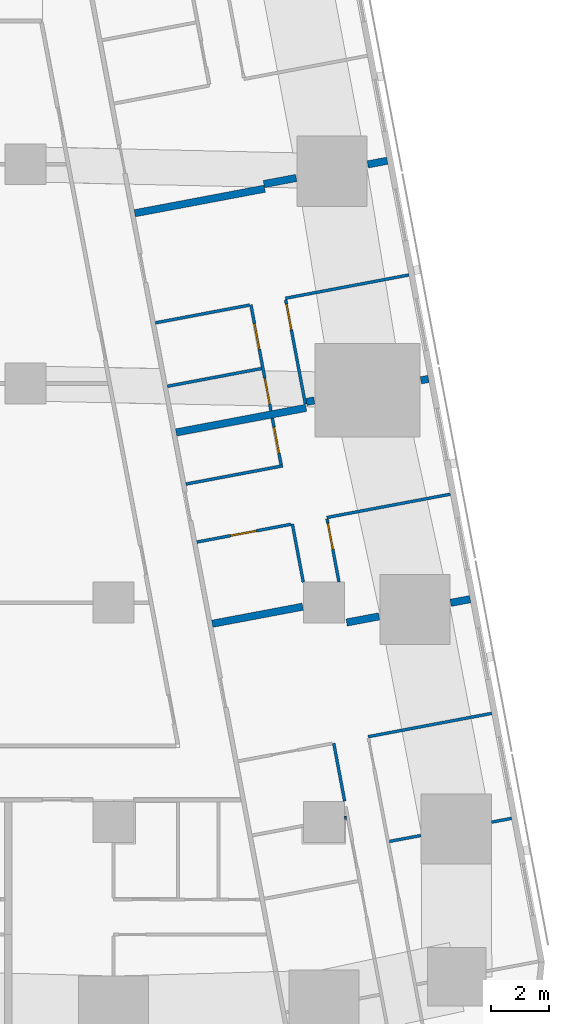
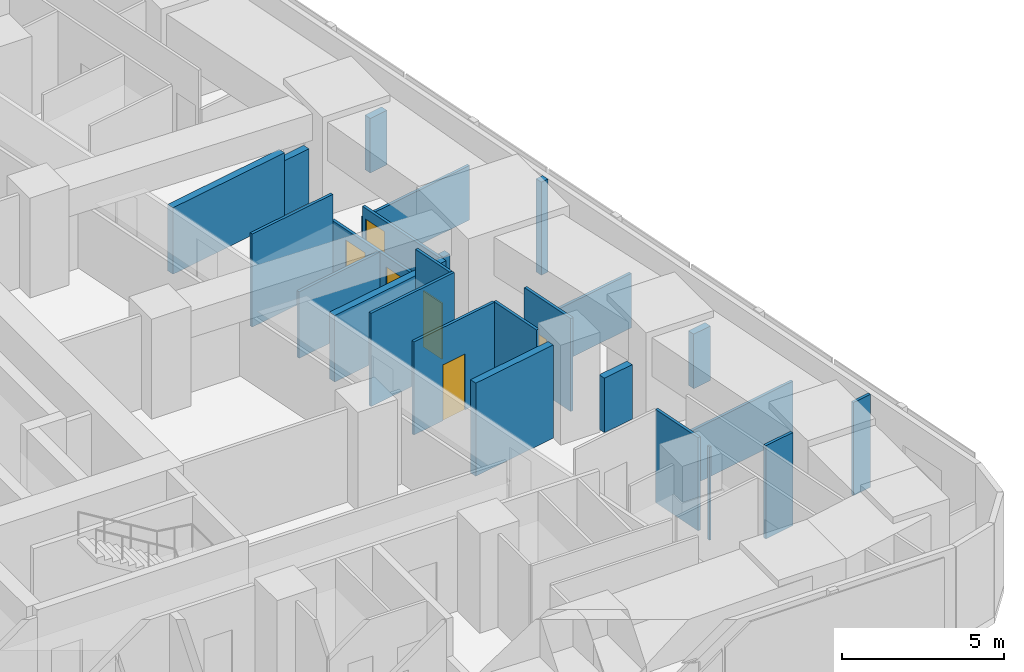
# One storey, part 14 of 19: 25 walls, 6 doors, 6 openings.
"""IFC4 building model written with IfcOpenShell, lengths in metres."""

from ifc_helpers import new_model, si_unit, direction, frame, frame_2d, origin, place, context, subcontext, project, spatial, rectangle, extrude, material, layer, layer_set, type_object, element, fill, save


model = new_model("IFC4")

# Units and contexts
model_context = context("Model", 3, precision=1e-05, world=origin(), true_north=direction((0.0, 1.0)))
body_context = subcontext(model_context, "Body", "Model", "MODEL_VIEW")
ifc_project = project(units=[si_unit("LENGTHUNIT", "METRE"), si_unit("AREAUNIT", "SQUARE_METRE"), si_unit("VOLUMEUNIT", "CUBIC_METRE"), si_unit("PLANEANGLEUNIT", "RADIAN"), si_unit("MASSUNIT", "GRAM", prefix="KILO")], contexts=[model_context])

# Site, building, storey
site_placement = place(None, origin())
site = spatial("IfcSite", under=ifc_project, at=site_placement, CompositionType="ELEMENT")
building_placement = place(site_placement, origin())
building = spatial("IfcBuilding", under=site, at=building_placement, Name="Sheger Commons Tower", CompositionType="ELEMENT")
storey_placement = place(building_placement, frame((0.0, 0.0, 216.199951171875)))
storey = spatial("IfcBuildingStorey", under=building, at=storey_placement, Name="L55", CompositionType="ELEMENT", Elevation=216.199951171875)

# Walls
ifc_material_1 = material(Name="Dense concrete block masonry, plastered both sides (separating wall between flats)", Category="masonry")
ifc_layer_1 = layer(ifc_material_1, 0.25)
ifc_layer_set_1 = layer_set([ifc_layer_1], Name="DEMISING WALL 250")
wall_type_1 = type_object("IfcWallType", Name="DEMISING WALL 250", PredefinedType="SOLIDWALL", material=ifc_layer_set_1)
wall_1_placement = place(storey_placement, frame((45.3720703125, 30.12109375, 0.0), z_axis=(0.0, 0.0, 1.0), x_axis=(-0.982347993061, -0.187062611252, 0.0)))
element("IfcWall", 1, at=wall_1_placement, inside=storey, type_object=wall_type_1, Name="Demising wall L55", PredefinedType="SOLIDWALL", context=body_context, shape_type="SweptSolid", body=[
    extrude(rectangle(XDim=0.679931640625, YDim=0.25, at=frame_2d((0.33984375, 0.0))), origin(), (0.0, 0.0, 1.0), 2.050048828125),
])
wall_2_placement = place(storey_placement, frame((42.256103515625, 29.531982421875, 0.0), z_axis=(0.0, 0.0, 1.0), x_axis=(-0.982549954272, -0.185998890749, 0.0)))
element("IfcWall", 2, at=wall_2_placement, inside=storey, type_object=wall_type_1, Name="Demising wall L55", PredefinedType="SOLIDWALL", context=body_context, shape_type="SweptSolid", body=[
    extrude(rectangle(XDim=1.12890625, YDim=0.25, at=frame_2d((0.564453125, 0.0))), origin(), (0.0, 0.0, 1.0), 2.050048828125),
])
wall_3_placement = place(storey_placement, frame((41.177001953125, 29.1640625, 0.0), z_axis=(0.0, 0.0, 1.0), x_axis=(-0.982612837616, -0.185666398014, 0.0)))
element("IfcWall", 3, at=wall_3_placement, inside=storey, type_object=wall_type_1, Name="Demising wall L55", PredefinedType="SOLIDWALL", context=body_context, shape_type="SweptSolid", body=[
    extrude(rectangle(XDim=4.524658203125, YDim=0.25, at=frame_2d((2.26220703125, 0.0))), origin(), (0.0, 0.0, 1.0), 2.5),
])
wall_4_placement = place(storey_placement, frame((46.781982421875, 22.656982421875, 0.0), z_axis=(0.0, 0.0, 1.0), x_axis=(-0.982778390997, -0.18478807913, 0.0)))
element("IfcWall", 4, at=wall_4_placement, inside=storey, type_object=wall_type_1, Name="Demising wall L55", PredefinedType="SOLIDWALL", context=body_context, shape_type="SweptSolid", body=[
    extrude(rectangle(XDim=0.265625, YDim=0.25, at=frame_2d((0.1328125, 0.0))), origin(), (0.0, 0.0, 1.0), 3.5),
])
wall_5_placement = place(storey_placement, frame((42.873046875, 21.91796875, 0.0), z_axis=(0.0, 0.0, 1.0), x_axis=(-0.982892522967, -0.184180043152, 0.0)))
element("IfcWall", 5, at=wall_5_placement, inside=storey, type_object=wall_type_1, Name="Demising wall L55", PredefinedType="SOLIDWALL", context=body_context, shape_type="SweptSolid", body=[
    extrude(rectangle(XDim=0.271728515625, YDim=0.25, at=frame_2d((0.1357421875, 0.0))), origin(), (0.0, 0.0, 1.0), 2.5),
])
wall_6_placement = place(storey_placement, frame((42.593017578125, 21.6650390625, 0.0), z_axis=(0.0, 0.0, 1.0), x_axis=(-0.982612837616, -0.185666398014, 0.0)))
element("IfcWall", 6, at=wall_6_placement, inside=storey, type_object=wall_type_1, Name="Demising wall L55", PredefinedType="SOLIDWALL", context=body_context, shape_type="SweptSolid", body=[
    extrude(rectangle(XDim=4.524658203125, YDim=0.25, at=frame_2d((2.26220703125, 0.0))), origin(), (0.0, 0.0, 1.0), 2.5),
])
wall_7_placement = place(storey_placement, frame((48.2060546875, 15.1201171875, 0.0), z_axis=(0.0, 0.0, 1.0), x_axis=(-0.982610999048, -0.18567612811, 0.0)))
element("IfcWall", 7, at=wall_7_placement, inside=storey, type_object=wall_type_1, Name="Demising wall L55", PredefinedType="SOLIDWALL", context=body_context, shape_type="SweptSolid", body=[
    extrude(rectangle(XDim=0.6796875, YDim=0.25, at=frame_2d((0.33984375, 0.0))), origin(), (0.0, 0.0, 1.0), 2.050048828125),
])
wall_8_placement = place(storey_placement, frame((45.090087890625, 14.531005859375, 0.0), z_axis=(0.0, 0.0, 1.0), x_axis=(-0.982737354171, -0.185006196431, 0.0)))
element("IfcWall", 8, at=wall_8_placement, inside=storey, type_object=wall_type_1, Name="Demising wall L55", PredefinedType="SOLIDWALL", context=body_context, shape_type="SweptSolid", body=[
    extrude(rectangle(XDim=1.129638671875, YDim=0.25, at=frame_2d((0.56494140625, 0.0))), origin(), (0.0, 0.0, 1.0), 2.050048828125),
])
wall_9_placement = place(storey_placement, frame((42.47607421875, 14.863037109375, 0.0), z_axis=(0.0, 0.0, 1.0), x_axis=(-0.982638716117, -0.185529387398, 0.0)))
element("IfcWall", 9, at=wall_9_placement, inside=storey, type_object=wall_type_1, Name="Demising wall L55", PredefinedType="SOLIDWALL", context=body_context, shape_type="SweptSolid", body=[
    extrude(rectangle(XDim=3.147705078125, YDim=0.25, at=frame_2d((1.57373046875, 0.0))), origin(), (0.0, 0.0, 1.0), 3.5),
])

# Wall, opening, door
ifc_material_2 = material(Name="Gypsum board on steel studs", Category="steel")
ifc_layer_2 = layer(ifc_material_2, 0.10009765625)
ifc_layer_set_2 = layer_set([ifc_layer_2], Name="PARTITION 100")
wall_type_2 = type_object("IfcWallType", Name="PARTITION 100", PredefinedType="PARTITIONING", material=ifc_layer_set_2)
wall_10_placement = place(storey_placement, frame((41.89404296875, 25.365966796875, 0.0), z_axis=(0.0, 0.0, 1.0), x_axis=(0.185695396387, -0.98260735788, 0.0)))
wall_10 = element("IfcWall", 10, at=wall_10_placement, inside=storey, type_object=wall_type_2, Name="Partition L55", PredefinedType="PARTITIONING", context=body_context, shape_type="SweptSolid", body=[
    extrude(rectangle(XDim=3.63525390625, YDim=0.10009765625, at=frame_2d((1.817626953125, 0.0))), origin(), (0.0, 0.0, 1.0), 2.5),
])
opening_1_placement = place(wall_10_placement, frame((0.15087890625, 0.0, 0.0)))
opening_1 = element("IfcOpeningElement", 11, at=opening_1_placement, cuts=wall_10, Name="Opening D2", PredefinedType="OPENING", context=body_context, shape_type="SweptSolid", body=[
    extrude(rectangle(XDim=0.89990234375, YDim=2.10009765625, at=frame_2d((0.449951171875, 1.050048828125))), frame((0.0, 0.06005859375, 0.0), z_axis=(0.0, -1.0, 0.0), x_axis=(1.0, 0.0, 0.0)), (0.0, 0.0, 1.0), 0.1201171875),
])
ifc_material_3 = material(Name="Timber door set", Category="wood")
door_type = type_object("IfcDoorType", Name="INTERNAL DOOR 900x2100", OperationType="NOTDEFINED", PredefinedType="DOOR", material=ifc_material_3)
door_1_placement = place(opening_1_placement, origin())
door_1 = element("IfcDoor", 12, at=door_1_placement, inside=storey, type_object=door_type, Name="Main bedroom door", OperationType="SINGLE_SWING_LEFT", OverallHeight=2.10009765625, OverallWidth=0.89990234375, PredefinedType="DOOR", context=body_context, shape_type="SweptSolid", body=[
    extrude(rectangle(XDim=0.89990234375, YDim=2.10009765625, at=frame_2d((0.449951171875, 1.050048828125))), frame((0.0, 0.02490234375, 0.0), z_axis=(0.0, -1.0, 0.0), x_axis=(1.0, 0.0, 0.0)), (0.0, 0.0, 1.0), 0.050048828125),
])
fill(opening_1, door_1)

# Wall, openings, doors
wall_11_placement = place(storey_placement, frame((40.7060546875, 25.19189453125, 0.0), z_axis=(0.0, 0.0, 1.0), x_axis=(0.185580474845, -0.982629069057, 0.0)))
wall_11 = element("IfcWall", 13, at=wall_11_placement, inside=storey, type_object=wall_type_2, Name="Partition L55", PredefinedType="PARTITIONING", context=body_context, shape_type="SweptSolid", body=[
    extrude(rectangle(XDim=3.684814453125, YDim=0.10009765625, at=frame_2d((1.84228515625, 0.0))), origin(), (0.0, 0.0, 1.0), 2.5),
])
opening_2_placement = place(wall_11_placement, frame((0.655029296875, 0.0, 0.0)))
opening_2 = element("IfcOpeningElement", 14, at=opening_2_placement, cuts=wall_11, Name="Opening D2", PredefinedType="OPENING", context=body_context, shape_type="SweptSolid", body=[
    extrude(rectangle(XDim=0.89990234375, YDim=2.10009765625, at=frame_2d((0.449951171875, 1.050048828125))), frame((0.0, 0.06005859375, 0.0), z_axis=(0.0, -1.0, 0.0), x_axis=(1.0, 0.0, 0.0)), (0.0, 0.0, 1.0), 0.1201171875),
])
opening_3_placement = place(wall_11_placement, frame((2.56298828125, 0.0, 0.0)))
opening_3 = element("IfcOpeningElement", 15, at=opening_3_placement, cuts=wall_11, Name="Opening D2", PredefinedType="OPENING", context=body_context, shape_type="SweptSolid", body=[
    extrude(rectangle(XDim=0.89990234375, YDim=2.10009765625, at=frame_2d((0.449951171875, 1.050048828125))), frame((0.0, 0.06005859375, 0.0), z_axis=(0.0, -1.0, 0.0), x_axis=(1.0, 0.0, 0.0)), (0.0, 0.0, 1.0), 0.1201171875),
])
door_2_placement = place(opening_2_placement, origin())
door_2 = element("IfcDoor", 16, at=door_2_placement, inside=storey, type_object=door_type, Name="Bathroom door", OperationType="SINGLE_SWING_RIGHT", OverallHeight=2.10009765625, OverallWidth=0.89990234375, PredefinedType="DOOR", context=body_context, shape_type="SweptSolid", body=[
    extrude(rectangle(XDim=0.89990234375, YDim=2.10009765625, at=frame_2d((0.449951171875, 1.050048828125))), frame((0.0, 0.02490234375, 0.0), z_axis=(0.0, -1.0, 0.0), x_axis=(1.0, 0.0, 0.0)), (0.0, 0.0, 1.0), 0.050048828125),
])
fill(opening_2, door_2)
door_3_placement = place(opening_3_placement, origin())
door_3 = element("IfcDoor", 17, at=door_3_placement, inside=storey, type_object=door_type, Name="Store door", OperationType="SINGLE_SWING_LEFT", OverallHeight=2.10009765625, OverallWidth=0.89990234375, PredefinedType="DOOR", context=body_context, shape_type="SweptSolid", body=[
    extrude(rectangle(XDim=0.89990234375, YDim=2.10009765625, at=frame_2d((0.449951171875, 1.050048828125))), frame((0.0, 0.02490234375, 0.0), z_axis=(0.0, -1.0, 0.0), x_axis=(1.0, 0.0, 0.0)), (0.0, 0.0, 1.0), 0.050048828125),
])
fill(opening_3, door_3)

# Walls
wall_12_placement = place(storey_placement, frame((46.110107421875, 26.212890625, 0.0), z_axis=(0.0, 0.0, 1.0), x_axis=(-0.982633535512, -0.185556823879, 0.0)))
element("IfcWall", 18, at=wall_12_placement, inside=storey, type_object=wall_type_2, Name="Partition L55", PredefinedType="PARTITIONING", context=body_context, shape_type="SweptSolid", body=[
    extrude(rectangle(XDim=4.2998046875, YDim=0.10009765625, at=frame_2d((2.14990234375, 0.0))), origin(), (0.0, 0.0, 1.0), 2.050048828125),
])
wall_13_placement = place(storey_placement, frame((40.656982421875, 25.18310546875, 0.0), z_axis=(0.0, 0.0, 1.0), x_axis=(-0.982607026909, -0.185697147715, 0.0)))
element("IfcWall", 19, at=wall_13_placement, inside=storey, type_object=wall_type_2, Name="Partition L55", PredefinedType="PARTITIONING", context=body_context, shape_type="SweptSolid", body=[
    extrude(rectangle(XDim=3.27490234375, YDim=0.10009765625, at=frame_2d((1.637451171875, 0.0))), origin(), (0.0, 0.0, 1.0), 3.5),
])
wall_14_placement = place(storey_placement, frame((41.06689453125, 23.010986328125, 0.0), z_axis=(0.0, 0.0, 1.0), x_axis=(-0.982618057925, -0.185638768151, 0.0)))
element("IfcWall", 20, at=wall_14_placement, inside=storey, type_object=wall_type_2, Name="Partition L55", PredefinedType="PARTITIONING", context=body_context, shape_type="SweptSolid", body=[
    extrude(rectangle(XDim=3.274658203125, YDim=0.10009765625, at=frame_2d((1.63720703125, 0.0))), origin(), (0.0, 0.0, 1.0), 2.5),
])

# Wall, opening, door
wall_15_placement = place(storey_placement, frame((41.43701171875, 21.319091796875, 0.0), z_axis=(0.0, 0.0, 1.0), x_axis=(0.185793689589, -0.982588777113, 0.0)))
wall_15 = element("IfcWall", 21, at=wall_15_placement, inside=storey, type_object=wall_type_2, Name="Partition L55", PredefinedType="PARTITIONING", context=body_context, shape_type="SweptSolid", body=[
    extrude(rectangle(XDim=1.62548828125, YDim=0.10009765625, at=frame_2d((0.812744140625, 0.0))), origin(), (0.0, 0.0, 1.0), 3.5),
])
opening_4_placement = place(wall_15_placement, frame((0.324951171875, 0.0, 0.0)))
opening_4 = element("IfcOpeningElement", 22, at=opening_4_placement, cuts=wall_15, Name="Opening D2", PredefinedType="OPENING", context=body_context, shape_type="SweptSolid", body=[
    extrude(rectangle(XDim=0.89990234375, YDim=2.10009765625, at=frame_2d((0.449951171875, 1.050048828125))), frame((0.0, 0.06005859375, 0.0), z_axis=(0.0, -1.0, 0.0), x_axis=(1.0, 0.0, 0.0)), (0.0, 0.0, 1.0), 0.1201171875),
])
door_4_placement = place(opening_4_placement, origin())
door_4 = element("IfcDoor", 23, at=door_4_placement, inside=storey, type_object=door_type, Name="Shower room door", OperationType="SINGLE_SWING_RIGHT", OverallHeight=2.10009765625, OverallWidth=0.89990234375, PredefinedType="DOOR", context=body_context, shape_type="SweptSolid", body=[
    extrude(rectangle(XDim=0.89990234375, YDim=2.10009765625, at=frame_2d((0.449951171875, 1.050048828125))), frame((0.0, 0.02490234375, 0.0), z_axis=(0.0, -1.0, 0.0), x_axis=(1.0, 0.0, 0.0)), (0.0, 0.0, 1.0), 0.050048828125),
])
fill(opening_4, door_4)

# Wall
wall_16_placement = place(storey_placement, frame((41.798095703125, 19.681884765625, 0.0), z_axis=(0.0, 0.0, 1.0), x_axis=(-0.982656183703, -0.185436848091, 0.0)))
element("IfcWall", 24, at=wall_16_placement, inside=storey, type_object=wall_type_2, Name="Partition L55", PredefinedType="PARTITIONING", context=body_context, shape_type="SweptSolid", body=[
    extrude(rectangle(XDim=3.375732421875, YDim=0.10009765625, at=frame_2d((1.68798828125, 0.0))), origin(), (0.0, 0.0, 1.0), 3.5),
])

# Wall, opening, door
wall_17_placement = place(storey_placement, frame((43.31103515625, 17.864990234375, 0.0), z_axis=(0.0, 0.0, 1.0), x_axis=(0.185572140257, -0.982630643101, 0.0)))
wall_17 = element("IfcWall", 25, at=wall_17_placement, inside=storey, type_object=wall_type_2, Name="Partition L55", PredefinedType="PARTITIONING", context=body_context, shape_type="SweptSolid", body=[
    extrude(rectangle(XDim=2.193115234375, YDim=0.10009765625, at=frame_2d((1.0966796875, 0.0))), origin(), (0.0, 0.0, 1.0), 3.5),
])
opening_5_placement = place(wall_17_placement, frame((0.14990234375, 0.0, 0.0)))
opening_5 = element("IfcOpeningElement", 26, at=opening_5_placement, cuts=wall_17, Name="Opening D2", PredefinedType="OPENING", context=body_context, shape_type="SweptSolid", body=[
    extrude(rectangle(XDim=0.89990234375, YDim=2.10009765625, at=frame_2d((0.449951171875, 1.050048828125))), frame((0.0, 0.06005859375, 0.0), z_axis=(0.0, -1.0, 0.0), x_axis=(1.0, 0.0, 0.0)), (0.0, 0.0, 1.0), 0.1201171875),
])
door_5_placement = place(opening_5_placement, origin())
door_5 = element("IfcDoor", 27, at=door_5_placement, inside=storey, type_object=door_type, Name="Main bedroom door", OperationType="SINGLE_SWING_LEFT", OverallHeight=2.10009765625, OverallWidth=0.89990234375, PredefinedType="DOOR", context=body_context, shape_type="SweptSolid", body=[
    extrude(rectangle(XDim=0.89990234375, YDim=2.10009765625, at=frame_2d((0.449951171875, 1.050048828125))), frame((0.0, 0.02490234375, 0.0), z_axis=(0.0, -1.0, 0.0), x_axis=(1.0, 0.0, 0.0)), (0.0, 0.0, 1.0), 0.050048828125),
])
fill(opening_5, door_5)

# Walls
wall_18_placement = place(storey_placement, frame((42.123046875, 17.69091796875, 0.0), z_axis=(0.0, 0.0, 1.0), x_axis=(0.185183804812, -0.98270390171, 0.0)))
element("IfcWall", 28, at=wall_18_placement, inside=storey, type_object=wall_type_2, Name="Partition L55", PredefinedType="PARTITIONING", context=body_context, shape_type="SweptSolid", body=[
    extrude(rectangle(XDim=2.02490234375, YDim=0.10009765625, at=frame_2d((1.012451171875, 0.0))), origin(), (0.0, 0.0, 1.0), 3.5),
])
wall_19_placement = place(storey_placement, frame((47.527099609375, 18.7119140625, 0.0), z_axis=(0.0, 0.0, 1.0), x_axis=(-0.982633535512, -0.185556823879, 0.0)))
element("IfcWall", 29, at=wall_19_placement, inside=storey, type_object=wall_type_2, Name="Partition L55", PredefinedType="PARTITIONING", context=body_context, shape_type="SweptSolid", body=[
    extrude(rectangle(XDim=4.2998046875, YDim=0.10009765625, at=frame_2d((2.14990234375, 0.0))), origin(), (0.0, 0.0, 1.0), 2.050048828125),
])

# Wall, opening, door
wall_20_placement = place(storey_placement, frame((42.073974609375, 17.681884765625, 0.0), z_axis=(0.0, 0.0, 1.0), x_axis=(-0.982630897129, -0.185570795135, 0.0)))
wall_20 = element("IfcWall", 30, at=wall_20_placement, inside=storey, type_object=wall_type_2, Name="Partition L55", PredefinedType="PARTITIONING", context=body_context, shape_type="SweptSolid", body=[
    extrude(rectangle(XDim=3.27587890625, YDim=0.10009765625, at=frame_2d((1.637939453125, 0.0))), origin(), (0.0, 0.0, 1.0), 3.5),
])
opening_6_placement = place(wall_20_placement, frame((1.200927734375, 0.0, 0.0)))
opening_6 = element("IfcOpeningElement", 31, at=opening_6_placement, cuts=wall_20, Name="Opening D2", PredefinedType="OPENING", context=body_context, shape_type="SweptSolid", body=[
    extrude(rectangle(XDim=0.89990234375, YDim=2.10009765625, at=frame_2d((0.449951171875, 1.050048828125))), frame((0.0, 0.06005859375, 0.0), z_axis=(0.0, -1.0, 0.0), x_axis=(1.0, 0.0, 0.0)), (0.0, 0.0, 1.0), 0.1201171875),
])
door_6_placement = place(opening_6_placement, origin())
door_6 = element("IfcDoor", 32, at=door_6_placement, inside=storey, type_object=door_type, Name="Store door", OperationType="SINGLE_SWING_RIGHT", OverallHeight=2.10009765625, OverallWidth=0.89990234375, PredefinedType="DOOR", context=body_context, shape_type="SweptSolid", body=[
    extrude(rectangle(XDim=0.89990234375, YDim=2.10009765625, at=frame_2d((0.449951171875, 1.050048828125))), frame((0.0, 0.02490234375, 0.0), z_axis=(0.0, -1.0, 0.0), x_axis=(1.0, 0.0, 0.0)), (0.0, 0.0, 1.0), 0.050048828125),
])
fill(opening_6, door_6)

# Walls
wall_21_placement = place(storey_placement, frame((43.5390625, 10.19189453125, 0.0), z_axis=(0.0, 0.0, 1.0), x_axis=(0.185443145218, -0.982654995353, 0.0)))
element("IfcWall", 33, at=wall_21_placement, inside=storey, type_object=wall_type_2, Name="Partition L55", PredefinedType="PARTITIONING", context=body_context, shape_type="SweptSolid", body=[
    extrude(rectangle(XDim=2.016845703125, YDim=0.10009765625, at=frame_2d((1.00830078125, 0.0))), origin(), (0.0, 0.0, 1.0), 3.5),
])
wall_22_placement = place(storey_placement, frame((48.943115234375, 11.212890625, 0.0), z_axis=(0.0, 0.0, 1.0), x_axis=(-0.982633535512, -0.185556823879, 0.0)))
element("IfcWall", 34, at=wall_22_placement, inside=storey, type_object=wall_type_2, Name="Partition L55", PredefinedType="PARTITIONING", context=body_context, shape_type="SweptSolid", body=[
    extrude(rectangle(XDim=4.2998046875, YDim=0.10009765625, at=frame_2d((2.14990234375, 0.0))), origin(), (0.0, 0.0, 1.0), 2.050048828125),
])
wall_23_placement = place(storey_placement, frame((49.6220703125, 7.6201171875, 0.0), z_axis=(0.0, 0.0, 1.0), x_axis=(-0.98254419619, -0.186029305578, 0.0)))
element("IfcWall", 35, at=wall_23_placement, inside=storey, type_object=wall_type_2, Name="Partition L55", PredefinedType="PARTITIONING", context=body_context, shape_type="SweptSolid", body=[
    extrude(rectangle(XDim=0.6943359375, YDim=0.10009765625, at=frame_2d((0.34716796875, 0.0))), origin(), (0.0, 0.0, 1.0), 3.5),
])
wall_24_placement = place(storey_placement, frame((46.52001953125, 7.034912109375, 0.0), z_axis=(0.0, 0.0, 1.0), x_axis=(-0.982620932907, -0.185623549726, 0.0)))
element("IfcWall", 36, at=wall_24_placement, inside=storey, type_object=wall_type_2, Name="Partition L55", PredefinedType="PARTITIONING", context=body_context, shape_type="SweptSolid", body=[
    extrude(rectangle(XDim=1.093017578125, YDim=0.10009765625, at=frame_2d((0.54638671875, 0.0))), origin(), (0.0, 0.0, 1.0), 3.5),
])
wall_25_placement = place(storey_placement, frame((43.968994140625, 7.64599609375, 0.0), z_axis=(0.0, 0.0, 1.0), x_axis=(-0.983147034646, -0.182816597351, 0.0)))
element("IfcWall", 37, at=wall_25_placement, inside=storey, type_object=wall_type_2, Name="Partition L55", PredefinedType="PARTITIONING", context=body_context, shape_type="SweptSolid", body=[
    extrude(rectangle(XDim=0.06005859375, YDim=0.10009765625, at=frame_2d((0.030029296875, 0.0))), origin(), (0.0, 0.0, 1.0), 3.5),
])

save(model, "model.ifc")
